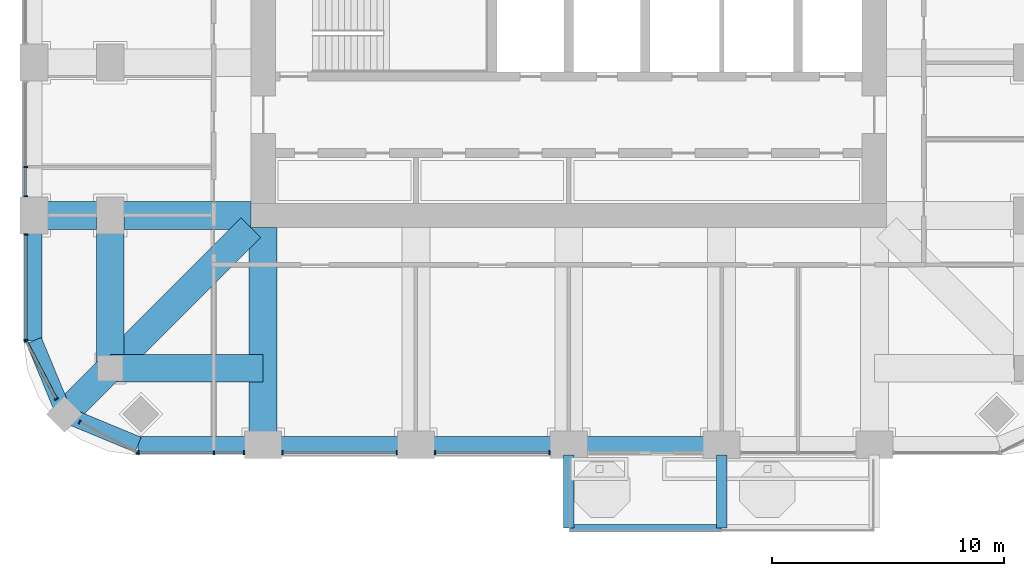
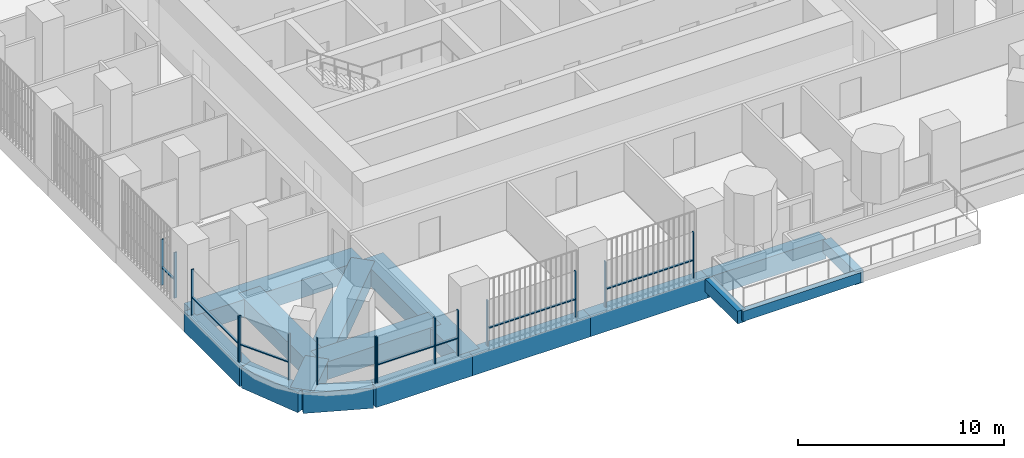
# One storey, part 2 of 20: 22 members, 16 beams, 7 elements without a shape of their own.
"""IFC4 building model written with IfcOpenShell, lengths in metres."""

from ifc_helpers import new_model, si_unit, direction, frame, origin, origin_2d, place, context, subcontext, project, spatial, rectangle, extrude, material, material_profile, profile_set, type_object, element, aggregate, save


model = new_model("IFC4")

# Units and contexts
model_context = context("Model", 3, precision=1e-05, world=origin(), true_north=direction((0.0, 1.0)))
body_context = subcontext(model_context, "Body", "Model", "MODEL_VIEW")
ifc_project = project(units=[si_unit("LENGTHUNIT", "METRE"), si_unit("AREAUNIT", "SQUARE_METRE"), si_unit("VOLUMEUNIT", "CUBIC_METRE"), si_unit("PLANEANGLEUNIT", "RADIAN"), si_unit("MASSUNIT", "GRAM", prefix="KILO")], contexts=[model_context])

# Site, building, storey
site_placement = place(None, origin())
site = spatial("IfcSite", under=ifc_project, at=site_placement, CompositionType="ELEMENT")
building_placement = place(site_placement, origin())
building = spatial("IfcBuilding", under=site, at=building_placement, Name="Cobogo Forest Laboratory Tower", CompositionType="ELEMENT")
storey_placement = place(building_placement, frame((0.0, 0.0, 189.300048828125)))
storey = spatial("IfcBuildingStorey", under=building, at=storey_placement, Name="L43", CompositionType="ELEMENT", Elevation=189.300048828125)

# Beams
ifc_material_1 = material(Name="Concrete HA-40 (C40/50)", Category="concrete")
ifc_material_profile_1 = material_profile(ifc_material_1, rectangle(XDim=0.449951171875, YDim=0.75, at=origin_2d()), Name="RC 450x750")
ifc_profile_set_1 = profile_set([ifc_material_profile_1], Name="Concrete HA-40 (C40/50)")
beam_type_1 = type_object("IfcBeamType", Name="Balcony cantilever beam 450x750", PredefinedType="BEAM", material=ifc_profile_set_1)
for number, where, z_axis, x_axis, name in (
    (1, (26.39990234375, 2.85009765625, -0.625), (0.0, -1.0, 0.0), (1.0, 0.0, 0.0), "CB1 BAL-S1-C1 L43"),
    (2, (33.0, 2.85009765625, -0.625), (0.0, -1.0, 0.0), (1.0, 0.0, 0.0), "CB1 BAL-S1-C2 L43"),
):
    element("IfcBeam", number, at=place(storey_placement, frame(where, z_axis=z_axis, x_axis=x_axis)), inside=storey, type_object=beam_type_1, Name=name, PredefinedType="BEAM", context=body_context, shape_type="SweptSolid", body=[
        extrude(rectangle(XDim=0.449951171875, YDim=0.75, at=origin_2d()), origin(), (0.0, 0.0, 1.0), 3.150146484375),
    ])
ifc_material_profile_2 = material_profile(ifc_material_1, rectangle(XDim=0.300048828125, YDim=0.60009765625, at=origin_2d()), Name="RC 300x600")
ifc_profile_set_2 = profile_set([ifc_material_profile_2], Name="Concrete HA-40 (C40/50)")
beam_type_2 = type_object("IfcBeamType", Name="Balcony edge beam 300x600", PredefinedType="BEAM", material=ifc_profile_set_2)
beam_1_placement = place(storey_placement, frame((26.39990234375, -0.300048828125, -0.550048828125), z_axis=(1.0, 0.0, 0.0), x_axis=(0.0, 1.0, 0.0)))
element("IfcBeam", 3, at=beam_1_placement, inside=storey, type_object=beam_type_2, Name="BB1 BAL-S1-T1 L43", PredefinedType="BEAM", context=body_context, shape_type="SweptSolid", body=[
    extrude(rectangle(XDim=0.300048828125, YDim=0.60009765625, at=origin_2d()), origin(), (0.0, 0.0, 1.0), 6.60009765625),
])
ifc_material_profile_3 = material_profile(ifc_material_1, rectangle(XDim=1.199951171875, YDim=1.050048828125, at=origin_2d()), Name="RC 1200x1050")
ifc_profile_set_3 = profile_set([ifc_material_profile_3], Name="Concrete HA-40 (C40/50)")
beam_type_3 = type_object("IfcBeamType", Name="Laboratory floor wide beam 1200x1050", PredefinedType="BEAM", material=ifc_profile_set_3)
for number, where, z_axis, x_axis, name in (
    (4, (13.199951171875, 12.675048828125, -0.824951171875), (0.0, -1.0, 0.0), (1.0, 0.0, 0.0), "RB1 R-3-S L43"),
    (5, (12.675048828125, 13.199951171875, -0.824951171875), (-1.0, 0.0, 0.0), (0.0, -1.0, 0.0), "RB1 R-C-W L43"),
):
    element("IfcBeam", number, at=place(storey_placement, frame(where, z_axis=z_axis, x_axis=x_axis)), inside=storey, type_object=beam_type_3, Name=name, PredefinedType="BEAM", context=body_context, shape_type="SweptSolid", body=[
        extrude(rectangle(XDim=1.199951171875, YDim=1.050048828125, at=origin_2d()), origin(), (0.0, 0.0, 1.0), 9.375),
    ])
for number, where, z_axis, x_axis, name in (
    (6, (6.60009765625, 6.60009765625, -0.824951171875), (0.0, 1.0, 0.0), (-1.0, 0.0, 0.0), "RB1 G-SW-XC L43"),
    (7, (6.60009765625, 6.60009765625, -0.824951171875), (1.0, 0.0, 0.0), (0.0, 1.0, 0.0), "RB1 G-SW-YC L43"),
):
    element("IfcBeam", number, at=place(storey_placement, frame(where, z_axis=z_axis, x_axis=x_axis)), inside=storey, type_object=beam_type_3, Name=name, PredefinedType="BEAM", context=body_context, shape_type="SweptSolid", body=[
        extrude(rectangle(XDim=1.199951171875, YDim=1.050048828125, at=origin_2d()), origin(), (0.0, 0.0, 1.0), 6.599853515625),
    ])
beam_2_placement = place(storey_placement, frame((4.617919921875, 4.617919921875, -0.824951171875), z_axis=(0.707106781187, 0.707106781187, 0.0), x_axis=(-0.707106781187, 0.707106781187, 0.0)))
element("IfcBeam", 8, at=beam_2_placement, inside=storey, type_object=beam_type_3, Name="RB1 G-SW-D1 L43", PredefinedType="BEAM", context=body_context, shape_type="SweptSolid", body=[
    extrude(rectangle(XDim=1.199951171875, YDim=1.050048828125, at=origin_2d()), origin(), (0.0, 0.0, 1.0), 2.80322265625),
])
beam_3_placement = place(storey_placement, frame((6.60009765625, 6.60009765625, -0.824951171875), z_axis=(0.707106781187, 0.707106781187, 0.0), x_axis=(-0.707106781187, 0.707106781187, 0.0)))
element("IfcBeam", 9, at=beam_3_placement, inside=storey, type_object=beam_type_3, Name="RB1 G-SW-D2 L43", PredefinedType="BEAM", context=body_context, shape_type="SweptSolid", body=[
    extrude(rectangle(XDim=1.199951171875, YDim=1.050048828125, at=origin_2d()), origin(), (0.0, 0.0, 1.0), 8.59130859375),
])

# Curtain wall, members
ifc_material_2 = material(Name="Aluminium curtain wall", Category="aluminium")
curtain_wall_type = type_object("IfcCurtainWallType", Name="CW-2 unitised curtain wall, solar control glazing, laboratory floors zones C and D", PredefinedType="USERDEFINED", material=ifc_material_2)
curtain_wall_1_placement = place(storey_placement, origin())
curtain_wall_1 = element("IfcCurtainWall", 10, at=curtain_wall_1_placement, inside=storey, type_object=curtain_wall_type, Name="Curtain wall 01 L43", ObjectType="UNITISED CURTAIN WALL", PredefinedType="USERDEFINED")
ifc_material_3 = material(Name="Aluminium mullion", Category="aluminium")
ifc_material_profile_4 = material_profile(ifc_material_3, rectangle(XDim=0.06005859375, YDim=0.159912109375, at=origin_2d()), Name="AL 60x160")
ifc_profile_set_4 = profile_set([ifc_material_profile_4], Name="Aluminium mullion")
member_type_1 = type_object("IfcMemberType", Name="MU-1 aluminium mullion 60x160", PredefinedType="MULLION", material=ifc_profile_set_4)
member_1_placement = place(storey_placement, frame((7.830078125, 2.949951171875, 0.0), z_axis=(0.0, 0.0, 1.0), x_axis=(1.0, 0.0, 0.0)))
member_1 = element("IfcMember", 11, at=member_1_placement, type_object=member_type_1, Name="CW-2 mullion 1", PredefinedType="MULLION", context=body_context, shape_type="SweptSolid", body=[
    extrude(rectangle(XDim=0.06005859375, YDim=0.159912109375, at=origin_2d()), origin(), (0.0, 0.0, 1.0), 2.699951171875),
])
member_2_placement = place(storey_placement, frame((11.074951171875, 2.949951171875, 0.0), z_axis=(0.0, 0.0, 1.0), x_axis=(1.0, 0.0, 0.0)))
member_2 = element("IfcMember", 12, at=member_2_placement, type_object=member_type_1, Name="CW-2 mullion 2", PredefinedType="MULLION", context=body_context, shape_type="SweptSolid", body=[
    extrude(rectangle(XDim=0.06005859375, YDim=0.159912109375, at=origin_2d()), origin(), (0.0, 0.0, 1.0), 2.699951171875),
])
member_3_placement = place(storey_placement, frame((12.3701171875, 2.949951171875, 0.0), z_axis=(0.0, 0.0, 1.0), x_axis=(1.0, 0.0, 0.0)))
member_3 = element("IfcMember", 13, at=member_3_placement, type_object=member_type_1, Name="CW-2 mullion 3", PredefinedType="MULLION", context=body_context, shape_type="SweptSolid", body=[
    extrude(rectangle(XDim=0.06005859375, YDim=0.159912109375, at=origin_2d()), origin(), (0.0, 0.0, 1.0), 2.699951171875),
])

curtain_wall_2_placement = place(storey_placement, origin())
curtain_wall_2 = element("IfcCurtainWall", 14, at=curtain_wall_2_placement, inside=storey, type_object=curtain_wall_type, Name="Curtain wall 02 L43", ObjectType="UNITISED CURTAIN WALL", PredefinedType="USERDEFINED")
member_4_placement = place(storey_placement, frame((14.030029296875, 2.949951171875, 0.0), z_axis=(0.0, 0.0, 1.0), x_axis=(1.0, 0.0, 0.0)))
member_4 = element("IfcMember", 15, at=member_4_placement, type_object=member_type_1, Name="CW-2 mullion 1", PredefinedType="MULLION", context=body_context, shape_type="SweptSolid", body=[
    extrude(rectangle(XDim=0.06005859375, YDim=0.159912109375, at=origin_2d()), origin(), (0.0, 0.0, 1.0), 2.699951171875),
])
member_5_placement = place(storey_placement, frame((18.969970703125, 2.949951171875, 0.0), z_axis=(0.0, 0.0, 1.0), x_axis=(1.0, 0.0, 0.0)))
member_5 = element("IfcMember", 16, at=member_5_placement, type_object=member_type_1, Name="CW-2 mullion 2", PredefinedType="MULLION", context=body_context, shape_type="SweptSolid", body=[
    extrude(rectangle(XDim=0.06005859375, YDim=0.159912109375, at=origin_2d()), origin(), (0.0, 0.0, 1.0), 2.699951171875),
])

curtain_wall_3_placement = place(storey_placement, origin())
curtain_wall_3 = element("IfcCurtainWall", 17, at=curtain_wall_3_placement, inside=storey, type_object=curtain_wall_type, Name="Curtain wall 03 L43", ObjectType="UNITISED CURTAIN WALL", PredefinedType="USERDEFINED")
member_6_placement = place(storey_placement, frame((20.6298828125, 2.949951171875, 0.0), z_axis=(0.0, 0.0, 1.0), x_axis=(1.0, 0.0, 0.0)))
member_6 = element("IfcMember", 18, at=member_6_placement, type_object=member_type_1, Name="CW-2 mullion 1", PredefinedType="MULLION", context=body_context, shape_type="SweptSolid", body=[
    extrude(rectangle(XDim=0.06005859375, YDim=0.159912109375, at=origin_2d()), origin(), (0.0, 0.0, 1.0), 2.699951171875),
])
member_7_placement = place(storey_placement, frame((25.570068359375, 2.949951171875, 0.0), z_axis=(0.0, 0.0, 1.0), x_axis=(1.0, 0.0, 0.0)))
member_7 = element("IfcMember", 19, at=member_7_placement, type_object=member_type_1, Name="CW-2 mullion 2", PredefinedType="MULLION", context=body_context, shape_type="SweptSolid", body=[
    extrude(rectangle(XDim=0.06005859375, YDim=0.159912109375, at=origin_2d()), origin(), (0.0, 0.0, 1.0), 2.699951171875),
])

curtain_wall_4_placement = place(storey_placement, origin())
curtain_wall_4 = element("IfcCurtainWall", 20, at=curtain_wall_4_placement, inside=storey, type_object=curtain_wall_type, Name="Curtain wall 27 L43", ObjectType="UNITISED CURTAIN WALL", PredefinedType="USERDEFINED")
member_8_placement = place(storey_placement, frame((2.949951171875, 15.300048828125, 0.0), z_axis=(0.0, 0.0, 1.0), x_axis=(0.0, -1.0, 0.0)))
member_8 = element("IfcMember", 21, at=member_8_placement, type_object=member_type_1, Name="CW-2 mullion 2", PredefinedType="MULLION", context=body_context, shape_type="SweptSolid", body=[
    extrude(rectangle(XDim=0.06005859375, YDim=0.159912109375, at=origin_2d()), origin(), (0.0, 0.0, 1.0), 2.699951171875),
])
member_9_placement = place(storey_placement, frame((2.949951171875, 14.030029296875, 0.0), z_axis=(0.0, 0.0, 1.0), x_axis=(0.0, -1.0, 0.0)))
member_9 = element("IfcMember", 22, at=member_9_placement, type_object=member_type_1, Name="CW-2 mullion 3", PredefinedType="MULLION", context=body_context, shape_type="SweptSolid", body=[
    extrude(rectangle(XDim=0.06005859375, YDim=0.159912109375, at=origin_2d()), origin(), (0.0, 0.0, 1.0), 2.699951171875),
])

curtain_wall_5_placement = place(storey_placement, origin())
curtain_wall_5 = element("IfcCurtainWall", 23, at=curtain_wall_5_placement, inside=storey, type_object=curtain_wall_type, Name="Curtain wall 28 L43", ObjectType="UNITISED CURTAIN WALL", PredefinedType="USERDEFINED")
member_10_placement = place(storey_placement, frame((2.949951171875, 12.3701171875, 0.0), z_axis=(0.0, 0.0, 1.0), x_axis=(0.0, -1.0, 0.0)))
member_10 = element("IfcMember", 24, at=member_10_placement, type_object=member_type_1, Name="CW-2 mullion 1", PredefinedType="MULLION", context=body_context, shape_type="SweptSolid", body=[
    extrude(rectangle(XDim=0.06005859375, YDim=0.159912109375, at=origin_2d()), origin(), (0.0, 0.0, 1.0), 2.699951171875),
])
member_11_placement = place(storey_placement, frame((2.949951171875, 7.830078125, 0.0), z_axis=(0.0, 0.0, 1.0), x_axis=(0.0, -1.0, 0.0)))
member_11 = element("IfcMember", 25, at=member_11_placement, type_object=member_type_1, Name="CW-2 mullion 2", PredefinedType="MULLION", context=body_context, shape_type="SweptSolid", body=[
    extrude(rectangle(XDim=0.06005859375, YDim=0.159912109375, at=origin_2d()), origin(), (0.0, 0.0, 1.0), 2.699951171875),
])

curtain_wall_6_placement = place(storey_placement, origin())
curtain_wall_6 = element("IfcCurtainWall", 26, at=curtain_wall_6_placement, inside=storey, type_object=curtain_wall_type, Name="Curtain wall 29 L43", ObjectType="UNITISED CURTAIN WALL", PredefinedType="USERDEFINED")
member_12_placement = place(storey_placement, frame((2.9638671875, 7.7734375, 0.0), z_axis=(0.0, 0.0, 1.0), x_axis=(0.464283804832, -0.885686484356, 0.0)))
member_12 = element("IfcMember", 27, at=member_12_placement, type_object=member_type_1, Name="CW-2 mullion 1", PredefinedType="MULLION", context=body_context, shape_type="SweptSolid", body=[
    extrude(rectangle(XDim=0.06005859375, YDim=0.159912109375, at=origin_2d()), origin(), (0.0, 0.0, 1.0), 2.699951171875),
])
member_13_placement = place(storey_placement, frame((4.2734375, 5.275634765625, 0.0), z_axis=(0.0, 0.0, 1.0), x_axis=(0.464283804832, -0.885686484356, 0.0)))
member_13 = element("IfcMember", 28, at=member_13_placement, type_object=member_type_1, Name="CW-2 mullion 2", PredefinedType="MULLION", context=body_context, shape_type="SweptSolid", body=[
    extrude(rectangle(XDim=0.06005859375, YDim=0.159912109375, at=origin_2d()), origin(), (0.0, 0.0, 1.0), 2.699951171875),
])

curtain_wall_7_placement = place(storey_placement, origin())
curtain_wall_7 = element("IfcCurtainWall", 29, at=curtain_wall_7_placement, inside=storey, type_object=curtain_wall_type, Name="Curtain wall 30 L43", ObjectType="UNITISED CURTAIN WALL", PredefinedType="USERDEFINED")
member_14_placement = place(storey_placement, frame((5.275634765625, 4.2734375, 0.0), z_axis=(0.0, 0.0, 1.0), x_axis=(0.885686484356, -0.464283804832, 0.0)))
member_14 = element("IfcMember", 30, at=member_14_placement, type_object=member_type_1, Name="CW-2 mullion 1", PredefinedType="MULLION", context=body_context, shape_type="SweptSolid", body=[
    extrude(rectangle(XDim=0.06005859375, YDim=0.159912109375, at=origin_2d()), origin(), (0.0, 0.0, 1.0), 2.699951171875),
])
member_15_placement = place(storey_placement, frame((7.7734375, 2.9638671875, 0.0), z_axis=(0.0, 0.0, 1.0), x_axis=(0.885686484356, -0.464283804832, 0.0)))
member_15 = element("IfcMember", 31, at=member_15_placement, type_object=member_type_1, Name="CW-2 mullion 2", PredefinedType="MULLION", context=body_context, shape_type="SweptSolid", body=[
    extrude(rectangle(XDim=0.06005859375, YDim=0.159912109375, at=origin_2d()), origin(), (0.0, 0.0, 1.0), 2.699951171875),
])
aggregate(curtain_wall_7, [member_14, member_15])

# Beams
ifc_material_profile_5 = material_profile(ifc_material_1, rectangle(XDim=0.699951171875, YDim=1.199951171875, at=origin_2d()), Name="RC 700x1200")
ifc_profile_set_5 = profile_set([ifc_material_profile_5], Name="Concrete HA-40 (C40/50)")
beam_type_4 = type_object("IfcBeamType", Name="Perimeter edge beam 700x1200", PredefinedType="BEAM", material=ifc_profile_set_5)
beam_4_placement = place(storey_placement, frame((13.199951171875, 3.300048828125, -0.900146484375), z_axis=(1.0, 0.0, 0.0), x_axis=(0.0, 1.0, 0.0)))
element("IfcBeam", 32, at=beam_4_placement, inside=storey, type_object=beam_type_4, Name="EB1 E-S1 L43", PredefinedType="BEAM", context=body_context, shape_type="SweptSolid", body=[
    extrude(rectangle(XDim=0.699951171875, YDim=1.199951171875, at=origin_2d()), origin(), (0.0, 0.0, 1.0), 6.60009765625),
])
beam_5_placement = place(storey_placement, frame((19.800048828125, 3.300048828125, -0.900146484375), z_axis=(1.0, 0.0, 0.0), x_axis=(0.0, 1.0, 0.0)))
element("IfcBeam", 33, at=beam_5_placement, inside=storey, type_object=beam_type_4, Name="EB1 E-S2 L43", PredefinedType="BEAM", context=body_context, shape_type="SweptSolid", body=[
    extrude(rectangle(XDim=0.699951171875, YDim=1.199951171875, at=origin_2d()), origin(), (0.0, 0.0, 1.0), 6.599853515625),
])
beam_6_placement = place(storey_placement, frame((26.39990234375, 3.300048828125, -0.900146484375), z_axis=(1.0, 0.0, 0.0), x_axis=(0.0, 1.0, 0.0)))
element("IfcBeam", 34, at=beam_6_placement, inside=storey, type_object=beam_type_4, Name="EB1 E-S3 L43", PredefinedType="BEAM", context=body_context, shape_type="SweptSolid", body=[
    extrude(rectangle(XDim=0.699951171875, YDim=1.199951171875, at=origin_2d()), origin(), (0.0, 0.0, 1.0), 6.60009765625),
])
beam_7_placement = place(storey_placement, frame((13.199951171875, 3.300048828125, -0.900146484375), z_axis=(-1.0, 0.0, 0.0), x_axis=(0.0, -1.0, 0.0)))
element("IfcBeam", 35, at=beam_7_placement, inside=storey, type_object=beam_type_4, Name="EB1 E-SWS1 L43", PredefinedType="BEAM", context=body_context, shape_type="SweptSolid", body=[
    extrude(rectangle(XDim=0.699951171875, YDim=1.199951171875, at=origin_2d()), origin(), (0.0, 0.0, 1.0), 5.39990234375),
])
beam_8_placement = place(storey_placement, frame((7.800048828125, 3.300048828125, -0.900146484375), z_axis=(-0.923901072997, 0.382631424892, 0.0), x_axis=(-0.382631424892, -0.923901072997, 0.0)))
element("IfcBeam", 36, at=beam_8_placement, inside=storey, type_object=beam_type_4, Name="EB1 E-SWS2 L43", PredefinedType="BEAM", context=body_context, shape_type="SweptSolid", body=[
    extrude(rectangle(XDim=0.699951171875, YDim=1.199951171875, at=origin_2d()), origin(), (0.0, 0.0, 1.0), 3.4443359375),
])
beam_9_placement = place(storey_placement, frame((3.300048828125, 13.199951171875, -0.900146484375), z_axis=(0.0, -1.0, 0.0), x_axis=(1.0, 0.0, 0.0)))
element("IfcBeam", 37, at=beam_9_placement, inside=storey, type_object=beam_type_4, Name="EB1 E-SWW1 L43", PredefinedType="BEAM", context=body_context, shape_type="SweptSolid", body=[
    extrude(rectangle(XDim=0.699951171875, YDim=1.199951171875, at=origin_2d()), origin(), (0.0, 0.0, 1.0), 5.39990234375),
])
beam_10_placement = place(storey_placement, frame((3.300048828125, 7.800048828125, -0.900146484375), z_axis=(0.382631424892, -0.923901072997, 0.0), x_axis=(0.923901072997, 0.382631424892, 0.0)))
element("IfcBeam", 38, at=beam_10_placement, inside=storey, type_object=beam_type_4, Name="EB1 E-SWW2 L43", PredefinedType="BEAM", context=body_context, shape_type="SweptSolid", body=[
    extrude(rectangle(XDim=0.699951171875, YDim=1.199951171875, at=origin_2d()), origin(), (0.0, 0.0, 1.0), 3.4443359375),
])

# Member
ifc_material_4 = material(Name="Aluminium transom", Category="aluminium")
ifc_material_profile_6 = material_profile(ifc_material_4, rectangle(XDim=0.1201171875, YDim=0.06005859375, at=origin_2d()), Name="AL 60x120")
ifc_profile_set_6 = profile_set([ifc_material_profile_6], Name="Aluminium transom")
member_type_2 = type_object("IfcMemberType", Name="TR-1 aluminium transom 60x120", PredefinedType="USERDEFINED", material=ifc_profile_set_6)
member_16_placement = place(storey_placement, frame((7.860107421875, 2.949951171875, 1.050048828125), z_axis=(1.0, 0.0, 0.0), x_axis=(0.0, 1.0, 0.0)))
member_16 = element("IfcMember", 39, at=member_16_placement, type_object=member_type_2, Name="CW-2 transom 1.1", ObjectType="TRANSOM", PredefinedType="USERDEFINED", context=body_context, shape_type="SweptSolid", body=[
    extrude(rectangle(XDim=0.1201171875, YDim=0.06005859375, at=origin_2d()), origin(), (0.0, 0.0, 1.0), 3.184814453125),
])

member_17_placement = place(storey_placement, frame((11.10498046875, 2.949951171875, 1.050048828125), z_axis=(1.0, 0.0, 0.0), x_axis=(0.0, 1.0, 0.0)))
member_17 = element("IfcMember", 40, at=member_17_placement, type_object=member_type_2, Name="CW-2 transom 2.1", ObjectType="TRANSOM", PredefinedType="USERDEFINED", context=body_context, shape_type="SweptSolid", body=[
    extrude(rectangle(XDim=0.1201171875, YDim=0.06005859375, at=origin_2d()), origin(), (0.0, 0.0, 1.0), 1.235107421875),
])

aggregate(curtain_wall_1, [member_1, member_2, member_3, member_16, member_17])

member_18_placement = place(storey_placement, frame((14.06005859375, 2.949951171875, 1.050048828125), z_axis=(1.0, 0.0, 0.0), x_axis=(0.0, 1.0, 0.0)))
member_18 = element("IfcMember", 41, at=member_18_placement, type_object=member_type_2, Name="CW-2 transom 1.1", ObjectType="TRANSOM", PredefinedType="USERDEFINED", context=body_context, shape_type="SweptSolid", body=[
    extrude(rectangle(XDim=0.1201171875, YDim=0.06005859375, at=origin_2d()), origin(), (0.0, 0.0, 1.0), 4.8798828125),
])

aggregate(curtain_wall_2, [member_4, member_5, member_18])

member_19_placement = place(storey_placement, frame((20.659912109375, 2.949951171875, 1.050048828125), z_axis=(1.0, 0.0, 0.0), x_axis=(0.0, 1.0, 0.0)))
member_19 = element("IfcMember", 42, at=member_19_placement, type_object=member_type_2, Name="CW-2 transom 1.1", ObjectType="TRANSOM", PredefinedType="USERDEFINED", context=body_context, shape_type="SweptSolid", body=[
    extrude(rectangle(XDim=0.1201171875, YDim=0.06005859375, at=origin_2d()), origin(), (0.0, 0.0, 1.0), 4.880126953125),
])

aggregate(curtain_wall_3, [member_6, member_7, member_19])

member_20_placement = place(storey_placement, frame((2.949951171875, 15.27001953125, 1.050048828125), z_axis=(0.0, -1.0, 0.0), x_axis=(1.0, 0.0, 0.0)))
member_20 = element("IfcMember", 43, at=member_20_placement, type_object=member_type_2, Name="CW-2 transom 2.1", ObjectType="TRANSOM", PredefinedType="USERDEFINED", context=body_context, shape_type="SweptSolid", body=[
    extrude(rectangle(XDim=0.1201171875, YDim=0.06005859375, at=origin_2d()), origin(), (0.0, 0.0, 1.0), 1.2099609375),
])

aggregate(curtain_wall_4, [member_8, member_9, member_20])

member_21_placement = place(storey_placement, frame((2.949951171875, 12.340087890625, 1.050048828125), z_axis=(0.0, -1.0, 0.0), x_axis=(1.0, 0.0, 0.0)))
member_21 = element("IfcMember", 44, at=member_21_placement, type_object=member_type_2, Name="CW-2 transom 1.1", ObjectType="TRANSOM", PredefinedType="USERDEFINED", context=body_context, shape_type="SweptSolid", body=[
    extrude(rectangle(XDim=0.1201171875, YDim=0.06005859375, at=origin_2d()), origin(), (0.0, 0.0, 1.0), 4.47998046875),
])

aggregate(curtain_wall_5, [member_10, member_11, member_21])

member_22_placement = place(storey_placement, frame((2.977783203125, 7.746826171875, 1.050048828125), z_axis=(0.464324225592, -0.885665294301, 0.0), x_axis=(0.885665294301, 0.464324225592, 0.0)))
member_22 = element("IfcMember", 45, at=member_22_placement, type_object=member_type_2, Name="CW-2 transom 1.1", ObjectType="TRANSOM", PredefinedType="USERDEFINED", context=body_context, shape_type="SweptSolid", body=[
    extrude(rectangle(XDim=0.1201171875, YDim=0.06005859375, at=origin_2d()), origin(), (0.0, 0.0, 1.0), 2.760498046875),
])

aggregate(curtain_wall_6, [member_12, member_13, member_22])

save(model, "model.ifc")
